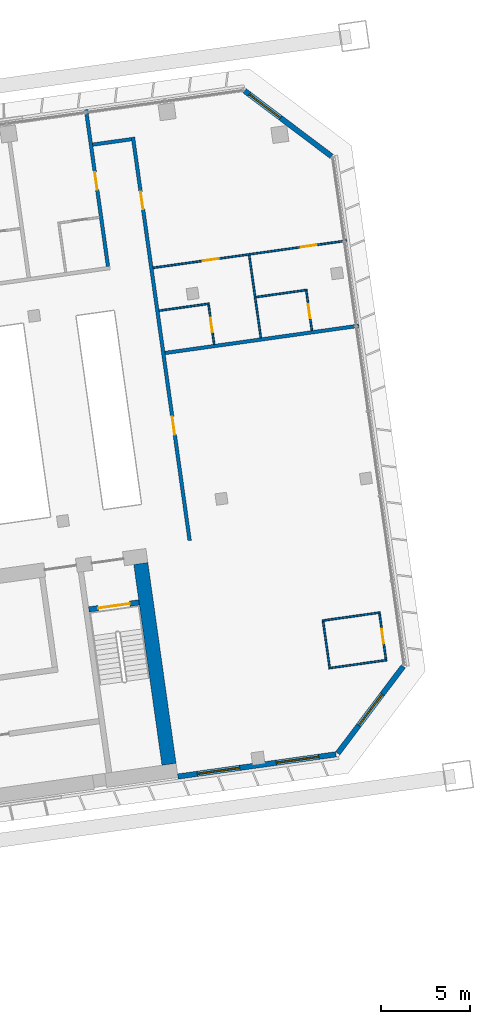
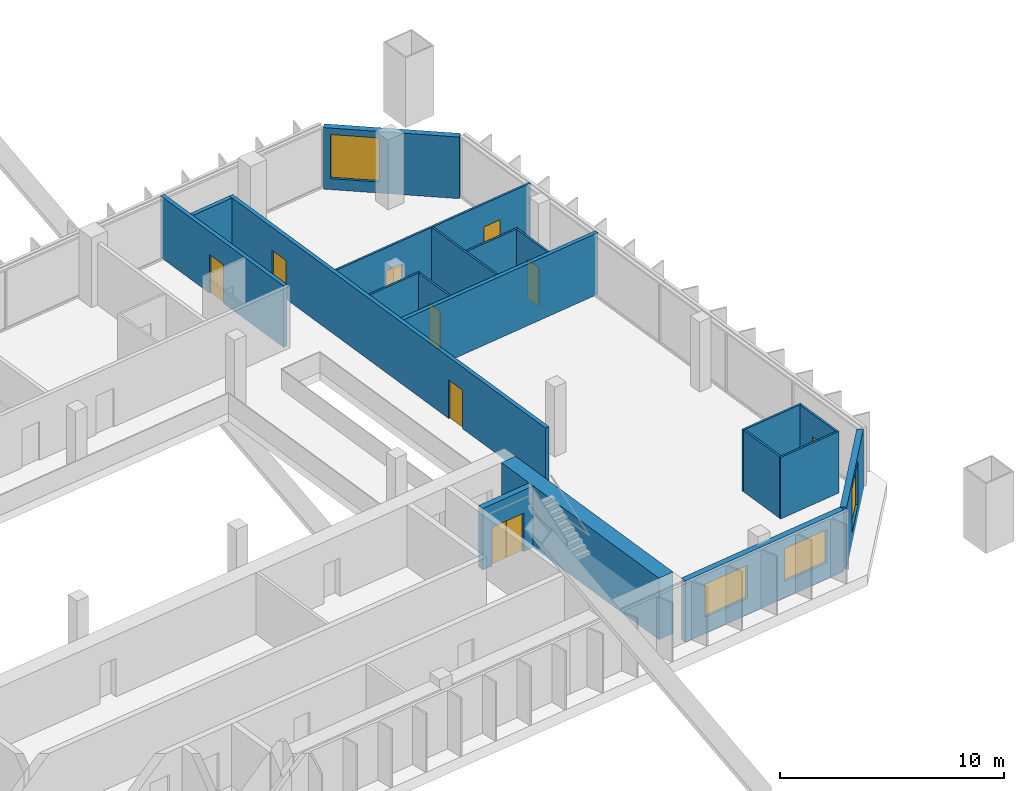
# One storey, part 37 of 41: 19 walls, 9 doors, 4 windows, 13 openings.
"""IFC4 building model written with IfcOpenShell, lengths in metres."""

from ifc_helpers import new_model, si_unit, direction, frame, frame_2d, origin, place, context, subcontext, project, spatial, rectangle, extrude, material, layer, layer_set, type_object, element, fill, save


model = new_model("IFC4")

# Units and contexts
model_context = context("Model", 3, precision=1e-05, world=origin(), true_north=direction((0.0, 1.0)))
body_context = subcontext(model_context, "Body", "Model", "MODEL_VIEW")
ifc_project = project(units=[si_unit("LENGTHUNIT", "METRE"), si_unit("AREAUNIT", "SQUARE_METRE"), si_unit("VOLUMEUNIT", "CUBIC_METRE"), si_unit("PLANEANGLEUNIT", "RADIAN"), si_unit("MASSUNIT", "GRAM", prefix="KILO")], contexts=[model_context])

# Site, building, storey
site_placement = place(None, origin())
site = spatial("IfcSite", under=ifc_project, at=site_placement, CompositionType="ELEMENT")
building_placement = place(site_placement, origin())
building = spatial("IfcBuilding", under=site, at=building_placement, Name="Mirante Cascada Hotel Towers", CompositionType="ELEMENT")
storey_placement = place(building_placement, frame((0.0, 0.0, 125.3)))
storey = spatial("IfcBuildingStorey", under=building, at=storey_placement, Name="L28", CompositionType="ELEMENT", Elevation=125.3)

# Walls
ifc_material_1 = material(Name="Fire-rated plasterboard on metal studs")
ifc_layer_1 = layer(ifc_material_1, 0.2)
ifc_layer_set_1 = layer_set([ifc_layer_1], Name="Compartment wall 200 EI 120")
wall_type_1 = type_object("IfcWallType", Name="Compartment wall 200 EI 120", PredefinedType="PARTITIONING", material=ifc_layer_set_1)
wall_1_placement = place(storey_placement, frame((100.6266, 12.8067, 0.0), z_axis=(0.0, 0.0, 1.0), x_axis=(-0.990268, -0.1391733, 0.0)))
element("IfcWall", 1, at=wall_1_placement, inside=storey, type_object=wall_type_1, Name="Wall 2-L28-08", PredefinedType="PARTITIONING", context=body_context, shape_type="SweptSolid", body=[
    extrude(rectangle(XDim=11.0, YDim=0.2, at=frame_2d((5.5, 0.0))), origin(), (0.0, 0.0, 1.0), 3.35),
])
wall_2_placement = place(storey_placement, frame((85.6638, 22.9901, 0.0), z_axis=(0.0, 0.0, 1.0), x_axis=(0.990267, 0.139181, 0.0)))
element("IfcWall", 2, at=wall_2_placement, inside=storey, type_object=wall_type_1, Name="Wall 2-L28-21", PredefinedType="PARTITIONING", context=body_context, shape_type="SweptSolid", body=[
    extrude(rectangle(XDim=2.2, YDim=0.2, at=frame_2d((1.1, 0.0))), origin(), (0.0, 0.0, 1.0), 3.35),
])

# Wall, opening, door
wall_3_placement = place(storey_placement, frame((86.525, 16.1433, 0.0), z_axis=(0.0, 0.0, 1.0), x_axis=(-0.1391684, 0.9902687, 0.0)))
wall_3 = element("IfcWall", 3, at=wall_3_placement, inside=storey, type_object=wall_type_1, Name="Wall 2-L28-43", PredefinedType="PARTITIONING", context=body_context, shape_type="SweptSolid", body=[
    extrude(rectangle(XDim=8.9, YDim=0.2, at=frame_2d((4.45, 0.0))), origin(), (0.0, 0.0, 1.0), 3.35),
])
opening_1_placement = place(wall_3_placement, frame((4.35, 0.0, 0.0)))
opening_1 = element("IfcOpeningElement", 4, at=opening_1_placement, cuts=wall_3, Name="Opening D2-L28-24", PredefinedType="OPENING", context=body_context, shape_type="SweptSolid", body=[
    extrude(rectangle(XDim=1.0, YDim=2.1, at=frame_2d((0.5, 1.05))), frame((0.0, 0.1, 0.0), z_axis=(0.0, -1.0, 0.0), x_axis=(1.0, 0.0, 0.0)), (0.0, 0.0, 1.0), 0.2),
])
ifc_material_2 = material(Name="Fire-rated timber door leaf", Category="wood")
door_type_1 = type_object("IfcDoorType", Name="Entrance door DG1 1000x2100 EI 60", OperationType="SINGLE_SWING_LEFT", PredefinedType="DOOR", material=ifc_material_2)
door_1_placement = place(opening_1_placement, origin())
door_1 = element("IfcDoor", 5, at=door_1_placement, inside=storey, type_object=door_type_1, Name="Door D2-L28-24", OperationType="SINGLE_SWING_LEFT", OverallHeight=2.1, OverallWidth=1.0, PredefinedType="DOOR", context=body_context, shape_type="SweptSolid", body=[
    extrude(rectangle(XDim=1.0, YDim=2.1, at=frame_2d((0.5, 1.05))), frame((0.0, 0.025, 0.0), z_axis=(0.0, -1.0, 0.0), x_axis=(1.0, 0.0, 0.0)), (0.0, 0.0, 1.0), 0.05),
])
fill(opening_1, door_1)

# Wall, openings, doors
wall_4_placement = place(storey_placement, frame((87.9275, 23.4092, 0.0), z_axis=(0.0, 0.0, 1.0), x_axis=(0.1391706, -0.9902684, 0.0)))
wall_4 = element("IfcWall", 6, at=wall_4_placement, inside=storey, type_object=wall_type_1, Name="Wall 2-L28-44", PredefinedType="PARTITIONING", context=body_context, shape_type="SweptSolid", body=[
    extrude(rectangle(XDim=22.9, YDim=0.2, at=frame_2d((11.45, 0.0))), origin(), (0.0, 0.0, 1.0), 3.35),
])
opening_2_placement = place(wall_4_placement, frame((15.8834, 0.0, 0.0)))
opening_2 = element("IfcOpeningElement", 7, at=opening_2_placement, cuts=wall_4, Name="Opening D2-L28-25", PredefinedType="OPENING", context=body_context, shape_type="SweptSolid", body=[
    extrude(rectangle(XDim=1.0, YDim=2.1, at=frame_2d((0.5, 1.05))), frame((0.0, 0.1, 0.0), z_axis=(0.0, -1.0, 0.0), x_axis=(1.0, 0.0, 0.0)), (0.0, 0.0, 1.0), 0.2),
])
opening_3_placement = place(wall_4_placement, frame((3.1, 0.0, 0.0)))
opening_3 = element("IfcOpeningElement", 8, at=opening_3_placement, cuts=wall_4, Name="Opening D2-L28-26", PredefinedType="OPENING", context=body_context, shape_type="SweptSolid", body=[
    extrude(rectangle(XDim=1.0, YDim=2.1, at=frame_2d((0.5, 1.05))), frame((0.0, 0.1, 0.0), z_axis=(0.0, -1.0, 0.0), x_axis=(1.0, 0.0, 0.0)), (0.0, 0.0, 1.0), 0.2),
])
door_2_placement = place(opening_2_placement, origin())
door_2 = element("IfcDoor", 9, at=door_2_placement, inside=storey, type_object=door_type_1, Name="Door D2-L28-25", OperationType="SINGLE_SWING_LEFT", OverallHeight=2.1, OverallWidth=1.0, PredefinedType="DOOR", context=body_context, shape_type="SweptSolid", body=[
    extrude(rectangle(XDim=1.0, YDim=2.1, at=frame_2d((0.5, 1.05))), frame((0.0, 0.025, 0.0), z_axis=(0.0, -1.0, 0.0), x_axis=(1.0, 0.0, 0.0)), (0.0, 0.0, 1.0), 0.05),
])
fill(opening_2, door_2)
door_3_placement = place(opening_3_placement, origin())
door_3 = element("IfcDoor", 10, at=door_3_placement, inside=storey, type_object=door_type_1, Name="Door D2-L28-26", OperationType="SINGLE_SWING_LEFT", OverallHeight=2.1, OverallWidth=1.0, PredefinedType="DOOR", context=body_context, shape_type="SweptSolid", body=[
    extrude(rectangle(XDim=1.0, YDim=2.1, at=frame_2d((0.5, 1.05))), frame((0.0, 0.025, 0.0), z_axis=(0.0, -1.0, 0.0), x_axis=(1.0, 0.0, 0.0)), (0.0, 0.0, 1.0), 0.05),
])
fill(opening_3, door_3)

# Walls
ifc_material_3 = material(Name="Plasterboard on metal studs")
ifc_layer_2 = layer(ifc_material_3, 0.1)
ifc_layer_set_2 = layer_set([ifc_layer_2], Name="Partition 100")
wall_type_2 = type_object("IfcWallType", Name="Partition 100", PredefinedType="PARTITIONING", material=ifc_layer_set_2)
wall_5_placement = place(storey_placement, frame((98.9401, -6.4487, 0.0), z_axis=(0.0, 0.0, 1.0), x_axis=(0.9902664, 0.1391852, 0.0)))
element("IfcWall", 11, at=wall_5_placement, inside=storey, type_object=wall_type_2, Name="Wall 2-L28-01", PredefinedType="PARTITIONING", context=body_context, shape_type="SweptSolid", body=[
    extrude(rectangle(XDim=3.2999, YDim=0.1, at=frame_2d((1.65, 0.0))), origin(), (0.0, 0.0, 1.0), 3.35),
])
wall_6_placement = place(storey_placement, frame((101.8322, -3.3157, 0.0), z_axis=(0.0, 0.0, 1.0), x_axis=(-0.990267, -0.139181, 0.0)))
element("IfcWall", 12, at=wall_6_placement, inside=storey, type_object=wall_type_2, Name="Wall 2-L28-02", PredefinedType="PARTITIONING", context=body_context, shape_type="SweptSolid", body=[
    extrude(rectangle(XDim=3.3, YDim=0.1, at=frame_2d((1.65, 0.0))), origin(), (0.0, 0.0, 1.0), 3.35),
])
wall_7_placement = place(storey_placement, frame((89.3997, 13.6525, 0.0), z_axis=(0.0, 0.0, 1.0), x_axis=(0.9902697, 0.1391613, 0.0)))
element("IfcWall", 13, at=wall_7_placement, inside=storey, type_object=wall_type_2, Name="Wall 2-L28-09", PredefinedType="PARTITIONING", context=body_context, shape_type="SweptSolid", body=[
    extrude(rectangle(XDim=2.8499, YDim=0.1, at=frame_2d((1.425, 0.0))), origin(), (0.0, 0.0, 1.0), 3.35),
])
wall_8_placement = place(storey_placement, frame((97.7179, 14.8215, 0.0), z_axis=(0.0, 0.0, 1.0), x_axis=(-0.9902683, -0.1391714, 0.0)))
element("IfcWall", 14, at=wall_8_placement, inside=storey, type_object=wall_type_2, Name="Wall 2-L28-10", PredefinedType="PARTITIONING", context=body_context, shape_type="SweptSolid", body=[
    extrude(rectangle(XDim=2.9, YDim=0.1, at=frame_2d((1.45, 0.0))), origin(), (0.0, 0.0, 1.0), 3.35),
])

# Wall, openings, doors
wall_9_placement = place(storey_placement, frame((89.061, 16.0622, 0.0), z_axis=(0.0, 0.0, 1.0), x_axis=(0.9902682, 0.1391721, 0.0)))
wall_9 = element("IfcWall", 15, at=wall_9_placement, inside=storey, type_object=wall_type_2, Name="Wall 2-L28-11", PredefinedType="PARTITIONING", context=body_context, shape_type="SweptSolid", body=[
    extrude(rectangle(XDim=11.0001, YDim=0.1, at=frame_2d((5.5, 0.0))), origin(), (0.0, 0.0, 1.0), 3.35),
])
opening_4_placement = place(wall_9_placement, frame((2.825, 0.0, 0.0)))
opening_4 = element("IfcOpeningElement", 16, at=opening_4_placement, cuts=wall_9, Name="Opening D2-L28-04", PredefinedType="OPENING", context=body_context, shape_type="SweptSolid", body=[
    extrude(rectangle(XDim=0.9, YDim=2.1, at=frame_2d((0.45, 1.05))), frame((0.0, 0.05, 0.0), z_axis=(0.0, -1.0, 0.0), x_axis=(1.0, 0.0, 0.0)), (0.0, 0.0, 1.0), 0.1),
])
opening_5_placement = place(wall_9_placement, frame((8.375, 0.0, 0.0)))
opening_5 = element("IfcOpeningElement", 17, at=opening_5_placement, cuts=wall_9, Name="Opening D2-L28-05", PredefinedType="OPENING", context=body_context, shape_type="SweptSolid", body=[
    extrude(rectangle(XDim=0.9, YDim=2.1, at=frame_2d((0.45, 1.05))), frame((0.0, 0.05, 0.0), z_axis=(0.0, -1.0, 0.0), x_axis=(1.0, 0.0, 0.0)), (0.0, 0.0, 1.0), 0.1),
])
ifc_material_4 = material(Name="Timber door leaf", Category="wood")
door_type_2 = type_object("IfcDoorType", Name="Room door DG3 900x2100", OperationType="SINGLE_SWING_LEFT", PredefinedType="DOOR", material=ifc_material_4)
door_4_placement = place(opening_4_placement, origin())
door_4 = element("IfcDoor", 18, at=door_4_placement, inside=storey, type_object=door_type_2, Name="Door D2-L28-04", OperationType="SINGLE_SWING_LEFT", OverallHeight=2.1, OverallWidth=0.9, PredefinedType="DOOR", context=body_context, shape_type="SweptSolid", body=[
    extrude(rectangle(XDim=0.9, YDim=2.1, at=frame_2d((0.45, 1.05))), frame((0.0, 0.025, 0.0), z_axis=(0.0, -1.0, 0.0), x_axis=(1.0, 0.0, 0.0)), (0.0, 0.0, 1.0), 0.05),
])
fill(opening_4, door_4)
door_5_placement = place(opening_5_placement, origin())
door_5 = element("IfcDoor", 19, at=door_5_placement, inside=storey, type_object=door_type_2, Name="Door D2-L28-05", OperationType="SINGLE_SWING_LEFT", OverallHeight=2.1, OverallWidth=0.9, PredefinedType="DOOR", context=body_context, shape_type="SweptSolid", body=[
    extrude(rectangle(XDim=0.9, YDim=2.1, at=frame_2d((0.45, 1.05))), frame((0.0, 0.025, 0.0), z_axis=(0.0, -1.0, 0.0), x_axis=(1.0, 0.0, 0.0)), (0.0, 0.0, 1.0), 0.05),
])
fill(opening_5, door_5)

# Wall, opening, door
wall_10_placement = place(storey_placement, frame((92.4925, 11.7645, 0.0), z_axis=(0.0, 0.0, 1.0), x_axis=(-0.1391561, 0.9902705, 0.0)))
wall_10 = element("IfcWall", 20, at=wall_10_placement, inside=storey, type_object=wall_type_2, Name="Wall 2-L28-45", PredefinedType="PARTITIONING", context=body_context, shape_type="SweptSolid", body=[
    extrude(rectangle(XDim=2.25, YDim=0.1, at=frame_2d((1.125, 0.0))), origin(), (0.0, 0.0, 1.0), 3.35),
])
opening_6_placement = place(wall_10_placement, frame((0.7, 0.0, 0.0)))
opening_6 = element("IfcOpeningElement", 21, at=opening_6_placement, cuts=wall_10, Name="Opening D2-L28-27", PredefinedType="OPENING", context=body_context, shape_type="SweptSolid", body=[
    extrude(rectangle(XDim=0.8, YDim=2.1, at=frame_2d((0.4, 1.05))), frame((0.0, 0.05, 0.0), z_axis=(0.0, -1.0, 0.0), x_axis=(1.0, 0.0, 0.0)), (0.0, 0.0, 1.0), 0.1),
])
ifc_material_5 = material(Name="Timber door leaf", Category="wood")
door_type_3 = type_object("IfcDoorType", Name="Bathroom door DG4 800x2100", OperationType="SINGLE_SWING_LEFT", PredefinedType="DOOR", material=ifc_material_5)
door_6_placement = place(opening_6_placement, origin())
door_6 = element("IfcDoor", 22, at=door_6_placement, inside=storey, type_object=door_type_3, Name="Door D2-L28-27", OperationType="SINGLE_SWING_LEFT", OverallHeight=2.1, OverallWidth=0.8, PredefinedType="DOOR", context=body_context, shape_type="SweptSolid", body=[
    extrude(rectangle(XDim=0.8, YDim=2.1, at=frame_2d((0.4, 1.05))), frame((0.0, 0.025, 0.0), z_axis=(0.0, -1.0, 0.0), x_axis=(1.0, 0.0, 0.0)), (0.0, 0.0, 1.0), 0.05),
])
fill(opening_6, door_6)

# Walls
wall_11_placement = place(storey_placement, frame((94.4649, 16.7712, 0.0), z_axis=(0.0, 0.0, 1.0), x_axis=(0.1391701, -0.9902685, 0.0)))
element("IfcWall", 23, at=wall_11_placement, inside=storey, type_object=wall_type_2, Name="Wall 2-L28-46", PredefinedType="PARTITIONING", context=body_context, shape_type="SweptSolid", body=[
    extrude(rectangle(XDim=4.6835, YDim=0.1, at=frame_2d((2.3418, 0.0))), origin(), (0.0, 0.0, 1.0), 3.35),
])
wall_12_placement = place(storey_placement, frame((98.9826, -6.3922, 0.0), z_axis=(0.0, 0.0, 1.0), x_axis=(-0.1391541, 0.9902707, 0.0)))
element("IfcWall", 24, at=wall_12_placement, inside=storey, type_object=wall_type_2, Name="Wall 2-L28-47", PredefinedType="PARTITIONING", context=body_context, shape_type="SweptSolid", body=[
    extrude(rectangle(XDim=2.6, YDim=0.1, at=frame_2d((1.3, 0.0))), origin(), (0.0, 0.0, 1.0), 3.35),
])

# Wall, opening, door
wall_13_placement = place(storey_placement, frame((97.6754, 14.765, 0.0), z_axis=(0.0, 0.0, 1.0), x_axis=(0.1391561, -0.9902705, 0.0)))
wall_13 = element("IfcWall", 25, at=wall_13_placement, inside=storey, type_object=wall_type_2, Name="Wall 2-L28-48", PredefinedType="PARTITIONING", context=body_context, shape_type="SweptSolid", body=[
    extrude(rectangle(XDim=2.25, YDim=0.1, at=frame_2d((1.125, 0.0))), origin(), (0.0, 0.0, 1.0), 3.35),
])
opening_7_placement = place(wall_13_placement, frame((0.75, 0.0, 0.0)))
opening_7 = element("IfcOpeningElement", 26, at=opening_7_placement, cuts=wall_13, Name="Opening D2-L28-28", PredefinedType="OPENING", context=body_context, shape_type="SweptSolid", body=[
    extrude(rectangle(XDim=0.8, YDim=2.1, at=frame_2d((0.4, 1.05))), frame((0.0, 0.05, 0.0), z_axis=(0.0, -1.0, 0.0), x_axis=(1.0, 0.0, 0.0)), (0.0, 0.0, 1.0), 0.1),
])
door_7_placement = place(opening_7_placement, frame((0.8, 0.0, 0.0), z_axis=(0.0, 0.0, 1.0), x_axis=(-1.0, 0.0, 0.0)))
door_7 = element("IfcDoor", 27, at=door_7_placement, inside=storey, type_object=door_type_3, Name="Door D2-L28-28", OperationType="SINGLE_SWING_RIGHT", OverallHeight=2.1, OverallWidth=0.8, PredefinedType="DOOR", context=body_context, shape_type="SweptSolid", body=[
    extrude(rectangle(XDim=0.8, YDim=2.1, at=frame_2d((0.4, 1.05))), frame((0.0, 0.025, 0.0), z_axis=(0.0, -1.0, 0.0), x_axis=(1.0, 0.0, 0.0)), (0.0, 0.0, 1.0), 0.05),
])
fill(opening_7, door_7)

wall_14_placement = place(storey_placement, frame((102.1515, -5.9469, 0.0), z_axis=(0.0, 0.0, 1.0), x_axis=(-0.1391918, 0.9902654, 0.0)))
wall_14 = element("IfcWall", 28, at=wall_14_placement, inside=storey, type_object=wall_type_2, Name="Wall 2-L28-49", PredefinedType="PARTITIONING", context=body_context, shape_type="SweptSolid", body=[
    extrude(rectangle(XDim=2.6, YDim=0.1, at=frame_2d((1.3, 0.0))), origin(), (0.0, 0.0, 1.0), 3.35),
])
opening_8_placement = place(wall_14_placement, frame((0.9, 0.0, 0.0)))
opening_8 = element("IfcOpeningElement", 29, at=opening_8_placement, cuts=wall_14, Name="Opening D2-L28-29", PredefinedType="OPENING", context=body_context, shape_type="SweptSolid", body=[
    extrude(rectangle(XDim=0.8, YDim=2.1, at=frame_2d((0.4, 1.05))), frame((0.0, 0.05, 0.0), z_axis=(0.0, -1.0, 0.0), x_axis=(1.0, 0.0, 0.0)), (0.0, 0.0, 1.0), 0.1),
])
door_8_placement = place(opening_8_placement, origin())
door_8 = element("IfcDoor", 30, at=door_8_placement, inside=storey, type_object=door_type_3, Name="Door D2-L28-29", OperationType="SINGLE_SWING_LEFT", OverallHeight=2.1, OverallWidth=0.8, PredefinedType="DOOR", context=body_context, shape_type="SweptSolid", body=[
    extrude(rectangle(XDim=0.8, YDim=2.1, at=frame_2d((0.4, 1.05))), frame((0.0, 0.025, 0.0), z_axis=(0.0, -1.0, 0.0), x_axis=(1.0, 0.0, 0.0)), (0.0, 0.0, 1.0), 0.05),
])
fill(opening_8, door_8)

# Wall, openings, windows
ifc_material_6 = material(Name="Precast concrete C40/50", Category="concrete")
ifc_layer_3 = layer(ifc_material_6, 0.3)
ifc_layer_set_3 = layer_set([ifc_layer_3], Name="Precast concrete C40/50 cladding wall 300")
wall_type_3 = type_object("IfcWallType", Name="Precast concrete C40/50 cladding wall 300", PredefinedType="STANDARD", material=ifc_layer_set_3)
wall_15_placement = place(storey_placement, frame((90.4551, -12.5388, 0.0), z_axis=(0.0, 0.0, 1.0), x_axis=(0.9902678, 0.1391749, 0.0)))
wall_15 = element("IfcWall", 31, at=wall_15_placement, inside=storey, type_object=wall_type_3, Name="Rear cladding wall T2 L28 1", PredefinedType="STANDARD", context=body_context, shape_type="SweptSolid", body=[
    extrude(rectangle(XDim=8.9758, YDim=0.3, at=frame_2d((4.4879, 0.0))), origin(), (0.0, 0.0, 1.0), 3.35),
])
opening_9_placement = place(wall_15_placement, frame((1.1012, 0.0, 0.9)))
opening_9 = element("IfcOpeningElement", 32, at=opening_9_placement, cuts=wall_15, Name="Opening W2-28-01", PredefinedType="OPENING", context=body_context, shape_type="SweptSolid", body=[
    extrude(rectangle(XDim=2.4, YDim=1.8, at=frame_2d((1.2, 0.9))), frame((0.0, 0.15, 0.0), z_axis=(0.0, -1.0, 0.0), x_axis=(1.0, 0.0, 0.0)), (0.0, 0.0, 1.0), 0.3),
])
opening_10_placement = place(wall_15_placement, frame((5.5923, 0.0, 0.9)))
opening_10 = element("IfcOpeningElement", 33, at=opening_10_placement, cuts=wall_15, Name="Opening W2-28-02", PredefinedType="OPENING", context=body_context, shape_type="SweptSolid", body=[
    extrude(rectangle(XDim=2.4, YDim=1.8, at=frame_2d((1.2, 0.9))), frame((0.0, 0.15, 0.0), z_axis=(0.0, -1.0, 0.0), x_axis=(1.0, 0.0, 0.0)), (0.0, 0.0, 1.0), 0.3),
])
ifc_material_7 = material(Name="Aluminium frame with clear double glazing", Category="aluminium")
window_type_1 = type_object("IfcWindowType", Name="Punched window 2400x1800", PartitioningType="DOUBLE_PANEL_VERTICAL", PredefinedType="WINDOW", material=ifc_material_7)
window_1_placement = place(opening_9_placement, origin())
window_1 = element("IfcWindow", 34, at=window_1_placement, inside=storey, type_object=window_type_1, Name="Window W2-28-01", OverallHeight=1.8, OverallWidth=2.4, PartitioningType="SINGLE_PANEL", PredefinedType="WINDOW", context=body_context, shape_type="SweptSolid", body=[
    extrude(rectangle(XDim=2.4, YDim=1.8, at=frame_2d((1.2, 0.9))), frame((0.0, 0.03, 0.0), z_axis=(0.0, -1.0, 0.0), x_axis=(1.0, 0.0, 0.0)), (0.0, 0.0, 1.0), 0.06),
])
fill(opening_9, window_1)
window_2_placement = place(opening_10_placement, origin())
window_2 = element("IfcWindow", 35, at=window_2_placement, inside=storey, type_object=window_type_1, Name="Window W2-28-02", OverallHeight=1.8, OverallWidth=2.4, PartitioningType="SINGLE_PANEL", PredefinedType="WINDOW", context=body_context, shape_type="SweptSolid", body=[
    extrude(rectangle(XDim=2.4, YDim=1.8, at=frame_2d((1.2, 0.9))), frame((0.0, 0.03, 0.0), z_axis=(0.0, -1.0, 0.0), x_axis=(1.0, 0.0, 0.0)), (0.0, 0.0, 1.0), 0.06),
])
fill(opening_10, window_2)

# Wall, opening, window
wall_16_placement = place(storey_placement, frame((99.4424, -11.2313, 0.0), z_axis=(0.0, 0.0, 1.0), x_axis=(0.6018194, 0.7986322, 0.0)))
wall_16 = element("IfcWall", 36, at=wall_16_placement, inside=storey, type_object=wall_type_3, Name="Corner cladding wall T2 L28 rear outer", PredefinedType="STANDARD", context=body_context, shape_type="SweptSolid", body=[
    extrude(rectangle(XDim=6.1155, YDim=0.3, at=frame_2d((3.0578, 0.0))), origin(), (0.0, 0.0, 1.0), 3.35),
])
opening_11_placement = place(wall_16_placement, frame((1.9576, 0.0, 0.6)))
opening_11 = element("IfcOpeningElement", 37, at=opening_11_placement, cuts=wall_16, Name="Opening W2-28-03", PredefinedType="OPENING", context=body_context, shape_type="SweptSolid", body=[
    extrude(rectangle(XDim=2.2, YDim=2.4, at=frame_2d((1.1, 1.2))), frame((0.0, 0.15, 0.0), z_axis=(0.0, -1.0, 0.0), x_axis=(1.0, 0.0, 0.0)), (0.0, 0.0, 1.0), 0.3),
])
ifc_material_8 = material(Name="Aluminium frame with clear double glazing", Category="aluminium")
window_type_2 = type_object("IfcWindowType", Name="Corner suite window 2200x2400", PartitioningType="DOUBLE_PANEL_VERTICAL", PredefinedType="WINDOW", material=ifc_material_8)
window_3_placement = place(opening_11_placement, origin())
window_3 = element("IfcWindow", 38, at=window_3_placement, inside=storey, type_object=window_type_2, Name="Window W2-28-03", OverallHeight=2.4, OverallWidth=2.2, PartitioningType="SINGLE_PANEL", PredefinedType="WINDOW", context=body_context, shape_type="SweptSolid", body=[
    extrude(rectangle(XDim=2.2, YDim=2.4, at=frame_2d((1.1, 1.2))), frame((0.0, 0.03, 0.0), z_axis=(0.0, -1.0, 0.0), x_axis=(1.0, 0.0, 0.0)), (0.0, 0.0, 1.0), 0.06),
])
fill(opening_11, window_3)

wall_17_placement = place(storey_placement, frame((99.0919, 22.3343, 0.0), z_axis=(0.0, 0.0, 1.0), x_axis=(-0.7986362, 0.6018141, 0.0)))
wall_17 = element("IfcWall", 39, at=wall_17_placement, inside=storey, type_object=wall_type_3, Name="Corner cladding wall T2 L28 outer front", PredefinedType="STANDARD", context=body_context, shape_type="SweptSolid", body=[
    extrude(rectangle(XDim=6.1157, YDim=0.3, at=frame_2d((3.0578, 0.0))), origin(), (0.0, 0.0, 1.0), 3.35),
])
opening_12_placement = place(wall_17_placement, frame((3.595, 0.0, 0.6)))
opening_12 = element("IfcOpeningElement", 40, at=opening_12_placement, cuts=wall_17, Name="Opening W2-28-04", PredefinedType="OPENING", context=body_context, shape_type="SweptSolid", body=[
    extrude(rectangle(XDim=2.2, YDim=2.4, at=frame_2d((1.1, 1.2))), frame((0.0, 0.15, 0.0), z_axis=(0.0, -1.0, 0.0), x_axis=(1.0, 0.0, 0.0)), (0.0, 0.0, 1.0), 0.3),
])
window_4_placement = place(opening_12_placement, origin())
window_4 = element("IfcWindow", 41, at=window_4_placement, inside=storey, type_object=window_type_2, Name="Window W2-28-04", OverallHeight=2.4, OverallWidth=2.2, PartitioningType="SINGLE_PANEL", PredefinedType="WINDOW", context=body_context, shape_type="SweptSolid", body=[
    extrude(rectangle(XDim=2.2, YDim=2.4, at=frame_2d((1.1, 1.2))), frame((0.0, 0.03, 0.0), z_axis=(0.0, -1.0, 0.0), x_axis=(1.0, 0.0, 0.0)), (0.0, 0.0, 1.0), 0.06),
])
fill(opening_12, window_4)

# Wall, opening, door
ifc_material_9 = material(Name="Concrete C50/60", Category="concrete")
ifc_layer_4 = layer(ifc_material_9, 0.3)
ifc_layer_set_4 = layer_set([ifc_layer_4], Name="RC core wall 300 C50/60")
wall_type_4 = type_object("IfcWallType", Name="RC core wall 300 C50/60", PredefinedType="SHEAR", material=ifc_layer_set_4)
wall_18_placement = place(storey_placement, frame((85.4489, -3.1441, 0.0), z_axis=(0.0, 0.0, 1.0), x_axis=(0.9902697, 0.1391613, 0.0)))
wall_18 = element("IfcWall", 42, at=wall_18_placement, inside=storey, type_object=wall_type_4, Name="Core wall T2:L28:11", PredefinedType="SHEAR", context=body_context, shape_type="SweptSolid", body=[
    extrude(rectangle(XDim=2.8499, YDim=0.3, at=frame_2d((1.425, 0.0))), origin(), (0.0, 0.0, 1.0), 3.35),
])
opening_13_placement = place(wall_18_placement, frame((0.525, 0.0, 0.0)))
opening_13 = element("IfcOpeningElement", 43, at=opening_13_placement, cuts=wall_18, Name="Opening D2-28-C17", PredefinedType="OPENING", context=body_context, shape_type="SweptSolid", body=[
    extrude(rectangle(XDim=1.8, YDim=2.1, at=frame_2d((0.9, 1.05))), frame((0.0, 0.15, 0.0), z_axis=(0.0, -1.0, 0.0), x_axis=(1.0, 0.0, 0.0)), (0.0, 0.0, 1.0), 0.3),
])
ifc_material_10 = material(Name="Hollow metal fire door leaf")
door_type_4 = type_object("IfcDoorType", Name="Double fire door 1800x2100 FD60", OperationType="DOUBLE_DOOR_SINGLE_SWING", PredefinedType="DOOR", material=ifc_material_10)
door_9_placement = place(opening_13_placement, frame((1.8, 0.0, 0.0), z_axis=(0.0, 0.0, 1.0), x_axis=(-1.0, 0.0, 0.0)))
door_9 = element("IfcDoor", 44, at=door_9_placement, inside=storey, type_object=door_type_4, Name="Stair door T2 L28 17", OperationType="DOUBLE_DOOR_SINGLE_SWING", OverallHeight=2.1, OverallWidth=1.8, PredefinedType="DOOR", context=body_context, shape_type="SweptSolid", body=[
    extrude(rectangle(XDim=0.895, YDim=2.1, at=frame_2d((0.4475, 1.05))), frame((0.0, 0.025, 0.0), z_axis=(0.0, -1.0, 0.0), x_axis=(1.0, 0.0, 0.0)), (0.0, 0.0, 1.0), 0.05),
    extrude(rectangle(XDim=0.895, YDim=2.1, at=frame_2d((1.3525, 1.05))), frame((0.0, 0.025, 0.0), z_axis=(0.0, -1.0, 0.0), x_axis=(1.0, 0.0, 0.0)), (0.0, 0.0, 1.0), 0.05),
])
fill(opening_13, door_9)

# Wall
ifc_material_11 = material(Name="Concrete C50/60", Category="concrete")
ifc_layer_5 = layer(ifc_material_11, 0.8)
ifc_layer_set_5 = layer_set([ifc_layer_5], Name="RC core wall 800 C50/60")
wall_type_5 = type_object("IfcWallType", Name="RC core wall 800 C50/60", PredefinedType="SHEAR", material=ifc_layer_set_5)
wall_19_placement = place(storey_placement, frame((89.9546, -11.8518, 0.0), z_axis=(0.0, 0.0, 1.0), x_axis=(-0.1391761, 0.9902677, 0.0)))
element("IfcWall", 45, at=wall_19_placement, inside=storey, type_object=wall_type_5, Name="Core wall T2:L28:4", PredefinedType="SHEAR", context=body_context, shape_type="SweptSolid", body=[
    extrude(rectangle(XDim=11.3999, YDim=0.8, at=frame_2d((5.7, 0.0))), origin(), (0.0, 0.0, 1.0), 3.35),
])

save(model, "model.ifc")
